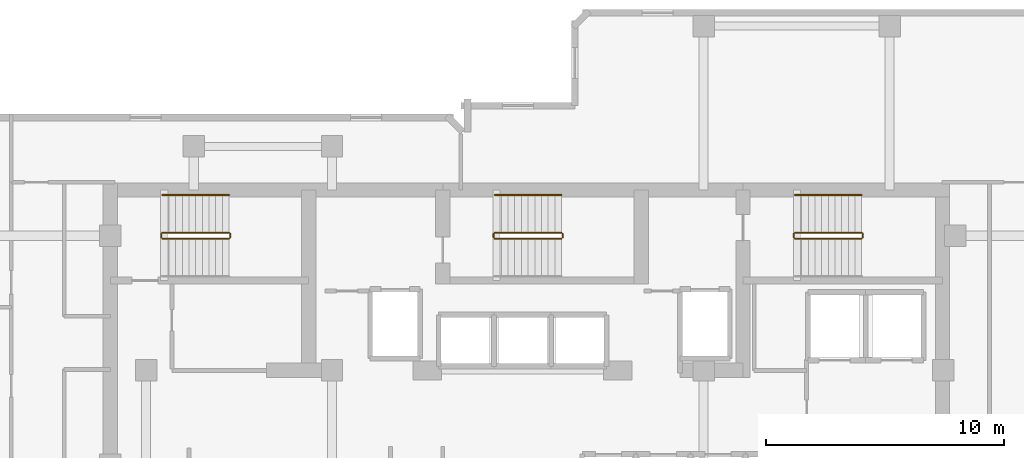
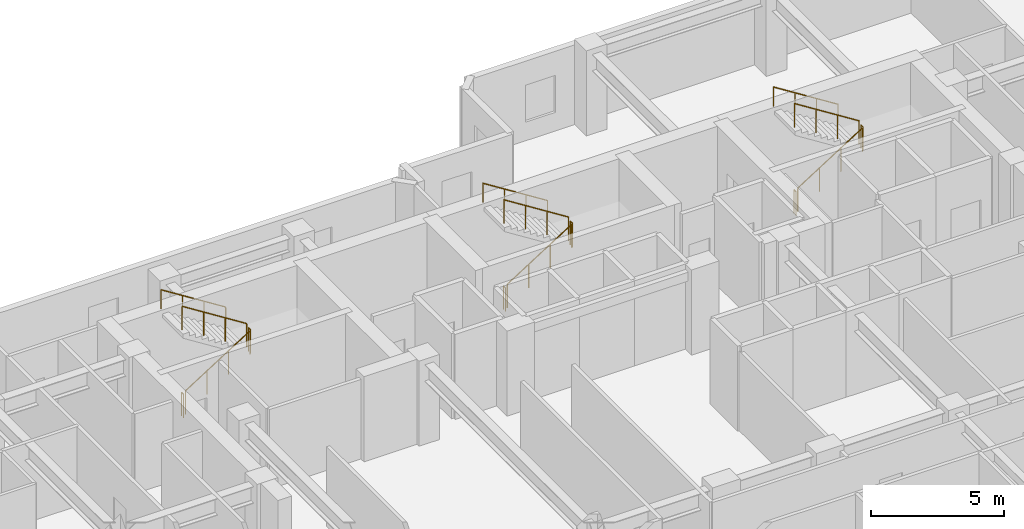
# One storey, part 11 of 11: 15 railings.
"""IFC4 building model written with IfcOpenShell, lengths in metres."""

from ifc_helpers import new_model, si_unit, direction, frame, origin, origin_2d, place, context, subcontext, project, spatial, circle, extrude, material, type_object, element, save


model = new_model("IFC4")

# Units and contexts
model_context = context("Model", 3, precision=1e-05, world=origin(), true_north=direction((0.0, 1.0)))
body_context = subcontext(model_context, "Body", "Model", "MODEL_VIEW")
ifc_project = project(units=[si_unit("LENGTHUNIT", "METRE"), si_unit("AREAUNIT", "SQUARE_METRE"), si_unit("VOLUMEUNIT", "CUBIC_METRE"), si_unit("PLANEANGLEUNIT", "RADIAN"), si_unit("MASSUNIT", "GRAM", prefix="KILO")], contexts=[model_context])

# Site, building, storey
site_placement = place(None, origin())
site = spatial("IfcSite", under=ifc_project, at=site_placement, CompositionType="ELEMENT")
building_placement = place(site_placement, origin())
building = spatial("IfcBuilding", under=site, at=building_placement, Name="Kestravale Grand Hotel", CompositionType="ELEMENT")
storey_placement = place(building_placement, frame((0.0, 0.0, 192.89990234375)))
storey = spatial("IfcBuildingStorey", under=building, at=storey_placement, Name="L48", CompositionType="ELEMENT", Elevation=192.89990234375)

# Railings
ifc_material_1 = material(Name="Painted tubular steel stair well guard", Category="steel")
railing_type_1 = type_object("IfcRailingType", Name="RL-ST-GRD1100", PredefinedType="GUARDRAIL", material=ifc_material_1)
railing_1_placement = place(storey_placement, frame((24.080078125, 38.280029296875, 0.177490234375)))
element("IfcRailing", 1, at=railing_1_placement, inside=storey, type_object=railing_type_1, Name="L48 ST-1 stair guard 1", PredefinedType="GUARDRAIL", context=body_context, shape_type="SweptSolid", body=[
    extrude(circle(Radius=0.02392578125, at=origin_2d()), frame((0.0, 0.0, 1.076171875), z_axis=(0.844887892834, 0.0, 0.53494340686), x_axis=(0.0, 1.0, 0.0)), (0.0, 0.0, 1.0), 3.313720703125),
    extrude(circle(Radius=0.02099609375, at=origin_2d()), origin(), (0.0, 0.0, 1.0), 1.052001953125),
    extrude(circle(Radius=0.02099609375, at=origin_2d()), frame((0.933349609375, 0.0, 0.5908203125)), (0.0, 0.0, 1.0), 1.052001953125),
    extrude(circle(Radius=0.02099609375, at=origin_2d()), frame((1.866455078125, 0.0, 1.181884765625)), (0.0, 0.0, 1.0), 1.052001953125),
    extrude(circle(Radius=0.02099609375, at=origin_2d()), frame((2.7998046875, 0.0, 1.772705078125)), (0.0, 0.0, 1.0), 1.052001953125),
])
railing_2_placement = place(storey_placement, frame((26.929931640625, 38.330078125, 1.9501953125)))
element("IfcRailing", 2, at=railing_2_placement, inside=storey, type_object=railing_type_1, Name="L48 ST-1 stair guard 2", PredefinedType="GUARDRAIL", context=body_context, shape_type="SweptSolid", body=[
    extrude(circle(Radius=0.02392578125, at=origin_2d()), frame((0.0, 0.0, 1.076171875), z_axis=(0.0, 1.0, 0.0), x_axis=(-1.0, 0.0, 0.0)), (0.0, 0.0, 1.0), 0.14990234375),
    extrude(circle(Radius=0.02099609375, at=origin_2d()), origin(), (0.0, 0.0, 1.0), 1.052001953125),
    extrude(circle(Radius=0.02099609375, at=origin_2d()), frame((0.0, 0.14990234375, 0.0)), (0.0, 0.0, 1.0), 1.052001953125),
])
railing_3_placement = place(storey_placement, frame((26.8798828125, 38.530029296875, 2.12744140625)))
element("IfcRailing", 3, at=railing_3_placement, inside=storey, type_object=railing_type_1, Name="L48 ST-1 stair guard 3", PredefinedType="GUARDRAIL", context=body_context, shape_type="SweptSolid", body=[
    extrude(circle(Radius=0.02392578125, at=origin_2d()), frame((0.0, 0.0, 1.076171875), z_axis=(-0.844887892834, 0.0, 0.53494340686), x_axis=(0.0, -1.0, 0.0)), (0.0, 0.0, 1.0), 3.313720703125),
    extrude(circle(Radius=0.02099609375, at=origin_2d()), origin(), (0.0, 0.0, 1.0), 1.052001953125),
    extrude(circle(Radius=0.02099609375, at=origin_2d()), frame((-0.933349609375, 0.0, 0.5908203125)), (0.0, 0.0, 1.0), 1.052001953125),
    extrude(circle(Radius=0.02099609375, at=origin_2d()), frame((-1.866455078125, 0.0, 1.181884765625)), (0.0, 0.0, 1.0), 1.052001953125),
    extrude(circle(Radius=0.02099609375, at=origin_2d()), frame((-2.7998046875, 0.0, 1.772705078125)), (0.0, 0.0, 1.0), 1.052001953125),
])
railing_4_placement = place(storey_placement, frame((24.030029296875, 38.330078125, 0.0)))
element("IfcRailing", 4, at=railing_4_placement, inside=storey, type_object=railing_type_1, Name="L48 ST-1 stair guard 4", PredefinedType="GUARDRAIL", context=body_context, shape_type="SweptSolid", body=[
    extrude(circle(Radius=0.02392578125, at=origin_2d()), frame((0.0, 0.0, 1.076171875), z_axis=(0.0, 1.0, 0.0), x_axis=(-1.0, 0.0, 0.0)), (0.0, 0.0, 1.0), 0.14990234375),
    extrude(circle(Radius=0.02099609375, at=origin_2d()), origin(), (0.0, 0.0, 1.0), 1.052001953125),
    extrude(circle(Radius=0.02099609375, at=origin_2d()), frame((0.0, 0.14990234375, 0.0)), (0.0, 0.0, 1.0), 1.052001953125),
])
railing_5_placement = place(storey_placement, frame((38.030029296875, 38.280029296875, 0.177490234375)))
element("IfcRailing", 5, at=railing_5_placement, inside=storey, type_object=railing_type_1, Name="L48 ST-2 stair guard 1", PredefinedType="GUARDRAIL", context=body_context, shape_type="SweptSolid", body=[
    extrude(circle(Radius=0.02392578125, at=origin_2d()), frame((0.0, 0.0, 1.076171875), z_axis=(0.844908973607, 0.0, 0.534910110503), x_axis=(0.0, 1.0, 0.0)), (0.0, 0.0, 1.0), 3.31396484375),
    extrude(circle(Radius=0.02099609375, at=origin_2d()), origin(), (0.0, 0.0, 1.0), 1.052001953125),
    extrude(circle(Radius=0.02099609375, at=origin_2d()), frame((0.933349609375, 0.0, 0.5908203125)), (0.0, 0.0, 1.0), 1.052001953125),
    extrude(circle(Radius=0.02099609375, at=origin_2d()), frame((1.86669921875, 0.0, 1.181884765625)), (0.0, 0.0, 1.0), 1.052001953125),
    extrude(circle(Radius=0.02099609375, at=origin_2d()), frame((2.800048828125, 0.0, 1.772705078125)), (0.0, 0.0, 1.0), 1.052001953125),
])
railing_6_placement = place(storey_placement, frame((40.8798828125, 38.330078125, 1.9501953125)))
element("IfcRailing", 6, at=railing_6_placement, inside=storey, type_object=railing_type_1, Name="L48 ST-2 stair guard 2", PredefinedType="GUARDRAIL", context=body_context, shape_type="SweptSolid", body=[
    extrude(circle(Radius=0.02392578125, at=origin_2d()), frame((0.0, 0.0, 1.076171875), z_axis=(0.0, 1.0, 0.0), x_axis=(-1.0, 0.0, 0.0)), (0.0, 0.0, 1.0), 0.14990234375),
    extrude(circle(Radius=0.02099609375, at=origin_2d()), origin(), (0.0, 0.0, 1.0), 1.052001953125),
    extrude(circle(Radius=0.02099609375, at=origin_2d()), frame((0.0, 0.14990234375, 0.0)), (0.0, 0.0, 1.0), 1.052001953125),
])
railing_7_placement = place(storey_placement, frame((40.830078125, 38.530029296875, 2.12744140625)))
element("IfcRailing", 7, at=railing_7_placement, inside=storey, type_object=railing_type_1, Name="L48 ST-2 stair guard 3", PredefinedType="GUARDRAIL", context=body_context, shape_type="SweptSolid", body=[
    extrude(circle(Radius=0.02392578125, at=origin_2d()), frame((0.0, 0.0, 1.076171875), z_axis=(-0.844908973607, 0.0, 0.534910110503), x_axis=(0.0, -1.0, 0.0)), (0.0, 0.0, 1.0), 3.31396484375),
    extrude(circle(Radius=0.02099609375, at=origin_2d()), origin(), (0.0, 0.0, 1.0), 1.052001953125),
    extrude(circle(Radius=0.02099609375, at=origin_2d()), frame((-0.933349609375, 0.0, 0.5908203125)), (0.0, 0.0, 1.0), 1.052001953125),
    extrude(circle(Radius=0.02099609375, at=origin_2d()), frame((-1.86669921875, 0.0, 1.181884765625)), (0.0, 0.0, 1.0), 1.052001953125),
    extrude(circle(Radius=0.02099609375, at=origin_2d()), frame((-2.800048828125, 0.0, 1.772705078125)), (0.0, 0.0, 1.0), 1.052001953125),
])
railing_8_placement = place(storey_placement, frame((37.97998046875, 38.330078125, 0.0)))
element("IfcRailing", 8, at=railing_8_placement, inside=storey, type_object=railing_type_1, Name="L48 ST-2 stair guard 4", PredefinedType="GUARDRAIL", context=body_context, shape_type="SweptSolid", body=[
    extrude(circle(Radius=0.02392578125, at=origin_2d()), frame((0.0, 0.0, 1.076171875), z_axis=(0.0, 1.0, 0.0), x_axis=(-1.0, 0.0, 0.0)), (0.0, 0.0, 1.0), 0.14990234375),
    extrude(circle(Radius=0.02099609375, at=origin_2d()), origin(), (0.0, 0.0, 1.0), 1.052001953125),
    extrude(circle(Radius=0.02099609375, at=origin_2d()), frame((0.0, 0.14990234375, 0.0)), (0.0, 0.0, 1.0), 1.052001953125),
])
railing_9_placement = place(storey_placement, frame((50.6298828125, 38.280029296875, 0.177490234375)))
element("IfcRailing", 9, at=railing_9_placement, inside=storey, type_object=railing_type_1, Name="L48 ST-3 stair guard 1", PredefinedType="GUARDRAIL", context=body_context, shape_type="SweptSolid", body=[
    extrude(circle(Radius=0.02392578125, at=origin_2d()), frame((0.0, 0.0, 1.076171875), z_axis=(0.844908973607, 0.0, 0.534910110503), x_axis=(0.0, 1.0, 0.0)), (0.0, 0.0, 1.0), 3.31396484375),
    extrude(circle(Radius=0.02099609375, at=origin_2d()), origin(), (0.0, 0.0, 1.0), 1.052001953125),
    extrude(circle(Radius=0.02099609375, at=origin_2d()), frame((0.933349609375, 0.0, 0.5908203125)), (0.0, 0.0, 1.0), 1.052001953125),
    extrude(circle(Radius=0.02099609375, at=origin_2d()), frame((1.86669921875, 0.0, 1.181884765625)), (0.0, 0.0, 1.0), 1.052001953125),
    extrude(circle(Radius=0.02099609375, at=origin_2d()), frame((2.800048828125, 0.0, 1.772705078125)), (0.0, 0.0, 1.0), 1.052001953125),
])
railing_10_placement = place(storey_placement, frame((53.47998046875, 38.330078125, 1.9501953125)))
element("IfcRailing", 10, at=railing_10_placement, inside=storey, type_object=railing_type_1, Name="L48 ST-3 stair guard 2", PredefinedType="GUARDRAIL", context=body_context, shape_type="SweptSolid", body=[
    extrude(circle(Radius=0.02392578125, at=origin_2d()), frame((0.0, 0.0, 1.076171875), z_axis=(0.0, 1.0, 0.0), x_axis=(-1.0, 0.0, 0.0)), (0.0, 0.0, 1.0), 0.14990234375),
    extrude(circle(Radius=0.02099609375, at=origin_2d()), origin(), (0.0, 0.0, 1.0), 1.052001953125),
    extrude(circle(Radius=0.02099609375, at=origin_2d()), frame((0.0, 0.14990234375, 0.0)), (0.0, 0.0, 1.0), 1.052001953125),
])
railing_11_placement = place(storey_placement, frame((53.429931640625, 38.530029296875, 2.12744140625)))
element("IfcRailing", 11, at=railing_11_placement, inside=storey, type_object=railing_type_1, Name="L48 ST-3 stair guard 3", PredefinedType="GUARDRAIL", context=body_context, shape_type="SweptSolid", body=[
    extrude(circle(Radius=0.02392578125, at=origin_2d()), frame((0.0, 0.0, 1.076171875), z_axis=(-0.844908973607, 0.0, 0.534910110503), x_axis=(0.0, -1.0, 0.0)), (0.0, 0.0, 1.0), 3.31396484375),
    extrude(circle(Radius=0.02099609375, at=origin_2d()), origin(), (0.0, 0.0, 1.0), 1.052001953125),
    extrude(circle(Radius=0.02099609375, at=origin_2d()), frame((-0.933349609375, 0.0, 0.5908203125)), (0.0, 0.0, 1.0), 1.052001953125),
    extrude(circle(Radius=0.02099609375, at=origin_2d()), frame((-1.86669921875, 0.0, 1.181884765625)), (0.0, 0.0, 1.0), 1.052001953125),
    extrude(circle(Radius=0.02099609375, at=origin_2d()), frame((-2.800048828125, 0.0, 1.772705078125)), (0.0, 0.0, 1.0), 1.052001953125),
])
railing_12_placement = place(storey_placement, frame((50.580078125, 38.330078125, 0.0)))
element("IfcRailing", 12, at=railing_12_placement, inside=storey, type_object=railing_type_1, Name="L48 ST-3 stair guard 4", PredefinedType="GUARDRAIL", context=body_context, shape_type="SweptSolid", body=[
    extrude(circle(Radius=0.02392578125, at=origin_2d()), frame((0.0, 0.0, 1.076171875), z_axis=(0.0, 1.0, 0.0), x_axis=(-1.0, 0.0, 0.0)), (0.0, 0.0, 1.0), 0.14990234375),
    extrude(circle(Radius=0.02099609375, at=origin_2d()), origin(), (0.0, 0.0, 1.0), 1.052001953125),
    extrude(circle(Radius=0.02099609375, at=origin_2d()), frame((0.0, 0.14990234375, 0.0)), (0.0, 0.0, 1.0), 1.052001953125),
])
ifc_material_2 = material(Name="Brushed stainless steel wall handrail", Category="steel")
railing_type_2 = type_object("IfcRailingType", Name="RL-ST-HND900", PredefinedType="HANDRAIL", material=ifc_material_2)
railing_13_placement = place(storey_placement, frame((26.8798828125, 40.110107421875, 2.12744140625)))
element("IfcRailing", 13, at=railing_13_placement, inside=storey, type_object=railing_type_2, Name="L48 ST-1 stair handrail 2", PredefinedType="HANDRAIL", context=body_context, shape_type="SweptSolid", body=[
    extrude(circle(Radius=0.02392578125, at=origin_2d()), frame((0.0, 0.0, 0.8759765625), z_axis=(-0.844887892834, 0.0, 0.53494340686), x_axis=(0.0, -1.0, 0.0)), (0.0, 0.0, 1.0), 3.313720703125),
    extrude(circle(Radius=0.02099609375, at=origin_2d()), origin(), (0.0, 0.0, 1.0), 0.851806640625),
    extrude(circle(Radius=0.02099609375, at=origin_2d()), frame((-0.933349609375, 0.0, 0.5908203125)), (0.0, 0.0, 1.0), 0.851806640625),
    extrude(circle(Radius=0.02099609375, at=origin_2d()), frame((-1.866455078125, 0.0, 1.181884765625)), (0.0, 0.0, 1.0), 0.851806640625),
    extrude(circle(Radius=0.02099609375, at=origin_2d()), frame((-2.7998046875, 0.0, 1.772705078125)), (0.0, 0.0, 1.0), 0.851806640625),
])
for number, where, name in (
    (14, (40.830078125, 40.110107421875, 2.12744140625), "L48 ST-2 stair handrail 2"),
    (15, (53.429931640625, 40.110107421875, 2.12744140625), "L48 ST-3 stair handrail 2"),
):
    element("IfcRailing", number, at=place(storey_placement, frame(where)), inside=storey, type_object=railing_type_2, Name=name, PredefinedType="HANDRAIL", context=body_context, shape_type="SweptSolid", body=[
        extrude(circle(Radius=0.02392578125, at=origin_2d()), frame((0.0, 0.0, 0.8759765625), z_axis=(-0.844908973607, 0.0, 0.534910110503), x_axis=(0.0, -1.0, 0.0)), (0.0, 0.0, 1.0), 3.31396484375),
        extrude(circle(Radius=0.02099609375, at=origin_2d()), origin(), (0.0, 0.0, 1.0), 0.851806640625),
        extrude(circle(Radius=0.02099609375, at=origin_2d()), frame((-0.933349609375, 0.0, 0.5908203125)), (0.0, 0.0, 1.0), 0.851806640625),
        extrude(circle(Radius=0.02099609375, at=origin_2d()), frame((-1.86669921875, 0.0, 1.181884765625)), (0.0, 0.0, 1.0), 0.851806640625),
        extrude(circle(Radius=0.02099609375, at=origin_2d()), frame((-2.800048828125, 0.0, 1.772705078125)), (0.0, 0.0, 1.0), 0.851806640625),
    ])

save(model, "model.ifc")
